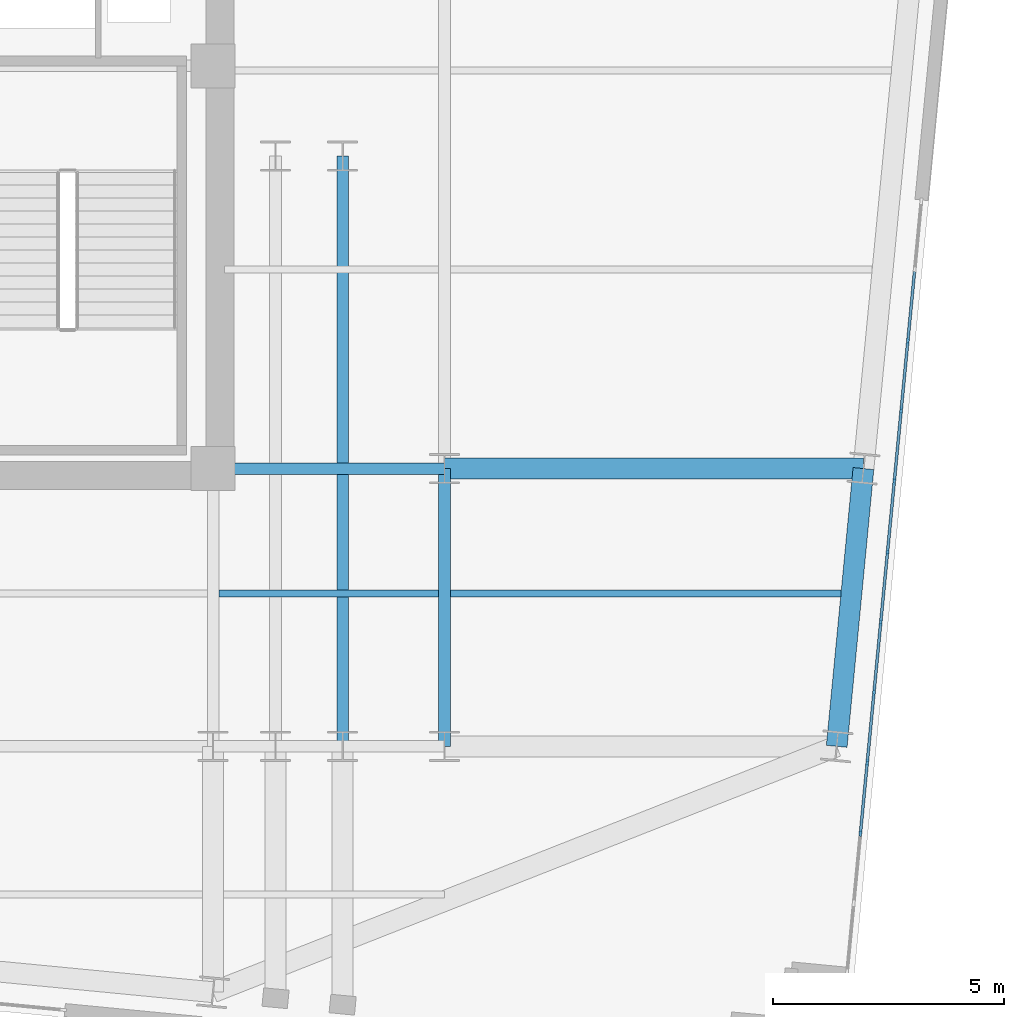
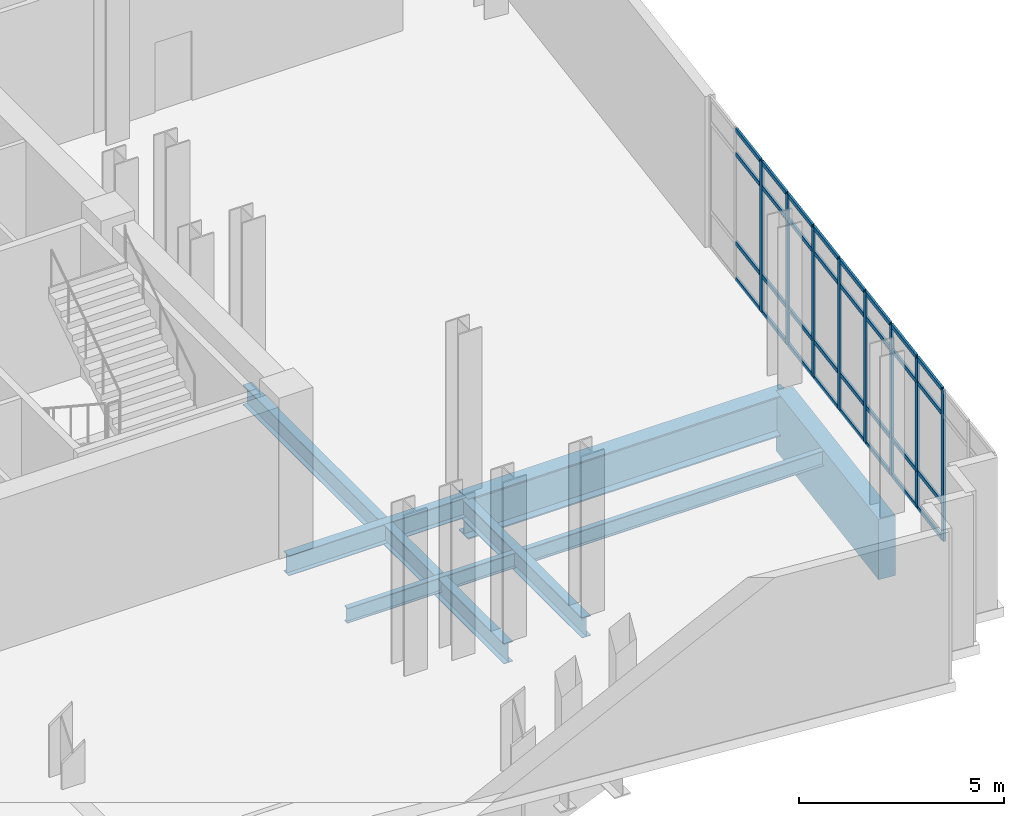
# One storey, part 5 of 16: 40 members, 7 beams, 1 element without a shape of its own.
"""IFC4 building model written with IfcOpenShell, lengths in metres."""

from ifc_helpers import new_model, si_unit, direction, frame, origin, origin_2d, place, context, subcontext, project, spatial, rectangle, i_section, extrude, material, layer, layer_set, material_profile, profile_set, type_object, element, aggregate, save


model = new_model("IFC4")

# Units and contexts
model_context = context("Model", 3, precision=1e-05, world=origin(), true_north=direction((0.0, 1.0)))
body_context = subcontext(model_context, "Body", "Model", "MODEL_VIEW")
ifc_project = project(units=[si_unit("LENGTHUNIT", "METRE"), si_unit("AREAUNIT", "SQUARE_METRE"), si_unit("VOLUMEUNIT", "CUBIC_METRE"), si_unit("PLANEANGLEUNIT", "RADIAN"), si_unit("MASSUNIT", "GRAM", prefix="KILO")], contexts=[model_context])

# Site, building, storey
site_placement = place(None, origin())
site = spatial("IfcSite", under=ifc_project, at=site_placement, CompositionType="ELEMENT")
building_placement = place(site_placement, origin())
building = spatial("IfcBuilding", under=site, at=building_placement, Name="Velakula Bourse", CompositionType="ELEMENT")
storey_placement = place(building_placement, frame((0.0, 0.0, 199.5)))
storey = spatial("IfcBuildingStorey", under=building, at=storey_placement, Name="L54", CompositionType="ELEMENT", Elevation=199.5)

# Beams
ifc_material_1 = material(Name="Steel IS 2062 Grade 350 (E350)", Category="steel")
ifc_material_profile_1 = material_profile(ifc_material_1, i_section(OverallWidth=0.25, OverallDepth=0.60009765625, WebThickness=0.01123046875, FlangeThickness=0.021240234375, at=origin_2d()), Name="Steel IS 2062 Grade 350 (E350)")
ifc_profile_set_1 = profile_set([ifc_material_profile_1], Name="Steel IS 2062 Grade 350 (E350)")
beam_type_1 = type_object("IfcBeamType", Name="BM-GRD-600M", PredefinedType="BEAM", material=ifc_profile_set_1)
beam_1_placement = place(storey_placement, frame((21.39990234375, -14.60009765625, -0.580078125), z_axis=(0.0, 1.0, 0.0), x_axis=(-1.0, 0.0, 0.0)))
element("IfcBeam", 1, at=beam_1_placement, inside=storey, type_object=beam_type_1, Name="L54 Fulcrum Grid Girder FLC-PSE2", PredefinedType="BEAM", context=body_context, shape_type="SweptSolid", body=[
    extrude(i_section(OverallWidth=0.25, OverallDepth=0.60009765625, WebThickness=0.01123046875, FlangeThickness=0.021240234375, at=origin_2d()), origin(), (0.0, 0.0, 1.0), 12.75),
])
beam_2_placement = place(storey_placement, frame((18.60009765625, -8.60009765625, -0.580078125), z_axis=(1.0, 0.0, 0.0), x_axis=(0.0, 1.0, 0.0)))
element("IfcBeam", 2, at=beam_2_placement, inside=storey, type_object=beam_type_1, Name="L54 Fulcrum Grid Girder MWG-ES2", PredefinedType="BEAM", context=body_context, shape_type="SweptSolid", body=[
    extrude(i_section(OverallWidth=0.25, OverallDepth=0.60009765625, WebThickness=0.01123046875, FlangeThickness=0.021240234375, at=origin_2d()), origin(), (0.0, 0.0, 1.0), 5.0),
])
beam_3_placement = place(storey_placement, frame((23.60009765625, -14.60009765625, -0.580078125), z_axis=(0.0, 1.0, 0.0), x_axis=(-1.0, 0.0, 0.0)))
element("IfcBeam", 3, at=beam_3_placement, inside=storey, type_object=beam_type_1, Name="L54 Fulcrum Grid Girder MWG-ENS1", PredefinedType="BEAM", context=body_context, shape_type="SweptSolid", body=[
    extrude(i_section(OverallWidth=0.25, OverallDepth=0.60009765625, WebThickness=0.01123046875, FlangeThickness=0.021240234375, at=origin_2d()), origin(), (0.0, 0.0, 1.0), 6.0),
])
ifc_material_profile_2 = material_profile(ifc_material_1, i_section(OverallWidth=0.14990234375, OverallDepth=0.449951171875, WebThickness=0.009521484375, FlangeThickness=0.017333984375, at=origin_2d()), Name="Steel IS 2062 Grade 350 (E350)")
ifc_profile_set_2 = profile_set([ifc_material_profile_2], Name="Steel IS 2062 Grade 350 (E350)")
beam_type_2 = type_object("IfcBeamType", Name="JST-TWR-450", PredefinedType="JOIST", material=ifc_profile_set_2)
beam_4_placement = place(storey_placement, frame((18.72509765625, -11.300048828125, -0.5048828125), z_axis=(1.0, 0.0, 0.0), x_axis=(0.0, 1.0, 0.0)))
element("IfcBeam", 4, at=beam_4_placement, inside=storey, type_object=beam_type_2, Name="L54 Trading Floor Composite Joist 07", PredefinedType="JOIST", context=body_context, shape_type="SweptSolid", body=[
    extrude(i_section(OverallWidth=0.14990234375, OverallDepth=0.449951171875, WebThickness=0.009521484375, FlangeThickness=0.017333984375, at=origin_2d()), origin(), (0.0, 0.0, 1.0), 4.75),
])
beam_5_placement = place(storey_placement, frame((23.72509765625, -11.300048828125, -0.5048828125), z_axis=(1.0, 0.0, 0.0), x_axis=(0.0, 1.0, 0.0)))
element("IfcBeam", 5, at=beam_5_placement, inside=storey, type_object=beam_type_2, Name="L54 Trading Floor Composite Joist 08", PredefinedType="JOIST", context=body_context, shape_type="SweptSolid", body=[
    extrude(i_section(OverallWidth=0.14990234375, OverallDepth=0.449951171875, WebThickness=0.009521484375, FlangeThickness=0.017333984375, at=origin_2d()), origin(), (0.0, 0.0, 1.0), 8.437744140625),
])

# Curtain wall, members
ifc_material_2 = material(Name="Anodised bronze architectural aluminium", Category="aluminium")
ifc_layer = layer(ifc_material_2, 0.139892578125, Name="Anodised bronze architectural aluminium", Category="aluminium")
ifc_layer_set = layer_set([ifc_layer], Name="Anodised bronze architectural aluminium")
curtain_wall_type = type_object("IfcCurtainWallType", Name="CW-TS1", PredefinedType="NOTDEFINED", material=ifc_layer_set)
curtain_wall_placement = place(storey_placement, origin())
curtain_wall = element("IfcCurtainWall", 6, at=curtain_wall_placement, inside=storey, type_object=curtain_wall_type, Name="L54 Turbine Plenum Curtain Wall E-W1", PredefinedType="NOTDEFINED")
ifc_material_profile_3 = material_profile(ifc_material_2, rectangle(XDim=0.06005859375, YDim=0.139892578125, at=origin_2d()), Name="Anodised bronze architectural aluminium")
ifc_profile_set_3 = profile_set([ifc_material_profile_3], Name="Anodised bronze architectural aluminium")
member_type_1 = type_object("IfcMemberType", Name="MUL-CW-TS1", PredefinedType="MULLION", material=ifc_profile_set_3)
member_1_placement = place(storey_placement, frame((33.608154296875, -5.837158203125, 0.0), z_axis=(0.0, 0.0, 1.0), x_axis=(0.995395914115, -0.095848704547, 0.0)))
member_1 = element("IfcMember", 7, at=member_1_placement, type_object=member_type_1, Name="CW-TS1 mullion 3", PredefinedType="MULLION", context=body_context, shape_type="SweptSolid", body=[
    extrude(rectangle(XDim=0.06005859375, YDim=0.139892578125, at=origin_2d()), origin(), (0.0, 0.0, 1.0), 4.5),
])
member_2_placement = place(storey_placement, frame((33.4619140625, -7.3564453125, 0.0), z_axis=(0.0, 0.0, 1.0), x_axis=(0.995395914115, -0.095848704547, 0.0)))
member_2 = element("IfcMember", 8, at=member_2_placement, type_object=member_type_1, Name="CW-TS1 mullion 4", PredefinedType="MULLION", context=body_context, shape_type="SweptSolid", body=[
    extrude(rectangle(XDim=0.06005859375, YDim=0.139892578125, at=origin_2d()), origin(), (0.0, 0.0, 1.0), 4.5),
])
member_3_placement = place(storey_placement, frame((33.315673828125, -8.875732421875, 0.0), z_axis=(0.0, 0.0, 1.0), x_axis=(0.995395914115, -0.095848704547, 0.0)))
member_3 = element("IfcMember", 9, at=member_3_placement, type_object=member_type_1, Name="CW-TS1 mullion 5", PredefinedType="MULLION", context=body_context, shape_type="SweptSolid", body=[
    extrude(rectangle(XDim=0.06005859375, YDim=0.139892578125, at=origin_2d()), origin(), (0.0, 0.0, 1.0), 4.5),
])
member_4_placement = place(storey_placement, frame((33.169189453125, -10.39501953125, 0.0), z_axis=(0.0, 0.0, 1.0), x_axis=(0.995395914115, -0.095848704547, 0.0)))
member_4 = element("IfcMember", 10, at=member_4_placement, type_object=member_type_1, Name="CW-TS1 mullion 6", PredefinedType="MULLION", context=body_context, shape_type="SweptSolid", body=[
    extrude(rectangle(XDim=0.06005859375, YDim=0.139892578125, at=origin_2d()), origin(), (0.0, 0.0, 1.0), 4.5),
])
member_5_placement = place(storey_placement, frame((33.02294921875, -11.914306640625, 0.0), z_axis=(0.0, 0.0, 1.0), x_axis=(0.995395914115, -0.095848704547, 0.0)))
member_5 = element("IfcMember", 11, at=member_5_placement, type_object=member_type_1, Name="CW-TS1 mullion 7", PredefinedType="MULLION", context=body_context, shape_type="SweptSolid", body=[
    extrude(rectangle(XDim=0.06005859375, YDim=0.139892578125, at=origin_2d()), origin(), (0.0, 0.0, 1.0), 4.5),
])
member_6_placement = place(storey_placement, frame((32.876708984375, -13.433837890625, 0.0), z_axis=(0.0, 0.0, 1.0), x_axis=(0.995395914115, -0.095848704547, 0.0)))
member_6 = element("IfcMember", 12, at=member_6_placement, type_object=member_type_1, Name="CW-TS1 mullion 8", PredefinedType="MULLION", context=body_context, shape_type="SweptSolid", body=[
    extrude(rectangle(XDim=0.06005859375, YDim=0.139892578125, at=origin_2d()), origin(), (0.0, 0.0, 1.0), 4.5),
])
member_7_placement = place(storey_placement, frame((32.73046875, -14.953125, 0.0), z_axis=(0.0, 0.0, 1.0), x_axis=(0.995395914115, -0.095848704547, 0.0)))
member_7 = element("IfcMember", 13, at=member_7_placement, type_object=member_type_1, Name="CW-TS1 mullion 9", PredefinedType="MULLION", context=body_context, shape_type="SweptSolid", body=[
    extrude(rectangle(XDim=0.06005859375, YDim=0.139892578125, at=origin_2d()), origin(), (0.0, 0.0, 1.0), 4.5),
])
member_8_placement = place(storey_placement, frame((32.583984375, -16.472412109375, 0.0), z_axis=(0.0, 0.0, 1.0), x_axis=(0.995395914115, -0.095848704547, 0.0)))
member_8 = element("IfcMember", 14, at=member_8_placement, type_object=member_type_1, Name="CW-TS1 mullion 10", PredefinedType="MULLION", context=body_context, shape_type="SweptSolid", body=[
    extrude(rectangle(XDim=0.06005859375, YDim=0.139892578125, at=origin_2d()), origin(), (0.0, 0.0, 1.0), 4.5),
])

# Beams
ifc_material_3 = material(Name="Concrete M50 (fck 50 MPa)", Category="concrete")
ifc_material_profile_4 = material_profile(ifc_material_3, rectangle(XDim=0.449951171875, YDim=1.800048828125, at=origin_2d()), Name="Concrete M50 (fck 50 MPa)")
ifc_profile_set_4 = profile_set([ifc_material_profile_4], Name="Concrete M50 (fck 50 MPa)")
beam_type_3 = type_object("IfcBeamType", Name="SPN-TRF-1800", PredefinedType="SPANDREL", material=ifc_profile_set_4)
beam_6_placement = place(storey_placement, frame((32.0712890625, -14.60009765625, -1.179931640625), z_axis=(0.095829714309, 0.995397742541, 0.0), x_axis=(-0.995397742541, 0.095829714309, 0.0)))
element("IfcBeam", 15, at=beam_6_placement, inside=storey, type_object=beam_type_3, Name="L54 Brick-Faced Precast Spandrel E1-E2", PredefinedType="SPANDREL", context=body_context, shape_type="SweptSolid", body=[
    extrude(rectangle(XDim=0.449951171875, YDim=1.800048828125, at=origin_2d()), origin(), (0.0, 0.0, 1.0), 6.02783203125),
])
ifc_material_4 = material(Name="Steel IS 2062 Grade 450 (E450)", Category="steel")
ifc_material_profile_5 = material_profile(ifc_material_4, i_section(OverallWidth=0.449951171875, OverallDepth=1.199951171875, WebThickness=0.02587890625, FlangeThickness=0.0400390625, at=origin_2d()), Name="Steel IS 2062 Grade 450 (E450)")
ifc_profile_set_5 = profile_set([ifc_material_profile_5], Name="Steel IS 2062 Grade 450 (E450)")
beam_type_4 = type_object("IfcBeamType", Name="TB-CANT-1200", PredefinedType="BEAM", material=ifc_profile_set_5)
beam_7_placement = place(storey_placement, frame((23.60009765625, -8.60009765625, -0.8798828125), z_axis=(1.0, 0.0, 0.0), x_axis=(0.0, 1.0, 0.0)))
element("IfcBeam", 16, at=beam_7_placement, inside=storey, type_object=beam_type_4, Name="L54 Perimeter Tie Girder E2", PredefinedType="BEAM", context=body_context, shape_type="SweptSolid", body=[
    extrude(i_section(OverallWidth=0.449951171875, OverallDepth=1.199951171875, WebThickness=0.02587890625, FlangeThickness=0.0400390625, at=origin_2d()), origin(), (0.0, 0.0, 1.0), 9.048828125),
])

# Member
ifc_material_profile_6 = material_profile(ifc_material_2, rectangle(XDim=0.06005859375, YDim=0.1201171875, at=origin_2d()), Name="Anodised bronze architectural aluminium")
ifc_profile_set_6 = profile_set([ifc_material_profile_6], Name="Anodised bronze architectural aluminium")
member_type_2 = type_object("IfcMemberType", Name="TRN-CW-TS1", PredefinedType="USERDEFINED", material=ifc_profile_set_6)
member_9_placement = place(storey_placement, frame((33.751708984375, -4.34765625, 0.030029296875), z_axis=(-0.095909115891, -0.995390095133, 0.0), x_axis=(0.995390095133, -0.095909115891, 0.0)))
member_9 = element("IfcMember", 17, at=member_9_placement, type_object=member_type_2, Name="CW-TS1 transom 2.1", ObjectType="TRANSOM", PredefinedType="USERDEFINED", context=body_context, shape_type="SweptSolid", body=[
    extrude(rectangle(XDim=0.06005859375, YDim=0.1201171875, at=origin_2d()), origin(), (0.0, 0.0, 1.0), 1.46630859375),
])

member_10_placement = place(storey_placement, frame((33.751708984375, -4.34765625, 1.10009765625), z_axis=(-0.095909115891, -0.995390095133, 0.0), x_axis=(0.995390095133, -0.095909115891, 0.0)))
member_10 = element("IfcMember", 18, at=member_10_placement, type_object=member_type_2, Name="CW-TS1 transom 2.2", ObjectType="TRANSOM", PredefinedType="USERDEFINED", context=body_context, shape_type="SweptSolid", body=[
    extrude(rectangle(XDim=0.06005859375, YDim=0.1201171875, at=origin_2d()), origin(), (0.0, 0.0, 1.0), 1.46630859375),
])

member_11_placement = place(storey_placement, frame((33.751708984375, -4.34765625, 3.75), z_axis=(-0.095909115891, -0.995390095133, 0.0), x_axis=(0.995390095133, -0.095909115891, 0.0)))
member_11 = element("IfcMember", 19, at=member_11_placement, type_object=member_type_2, Name="CW-TS1 transom 2.3", ObjectType="TRANSOM", PredefinedType="USERDEFINED", context=body_context, shape_type="SweptSolid", body=[
    extrude(rectangle(XDim=0.06005859375, YDim=0.1201171875, at=origin_2d()), origin(), (0.0, 0.0, 1.0), 1.46630859375),
])

member_12_placement = place(storey_placement, frame((33.751708984375, -4.34765625, 4.469970703125), z_axis=(-0.095909115891, -0.995390095133, 0.0), x_axis=(0.995390095133, -0.095909115891, 0.0)))
member_12 = element("IfcMember", 20, at=member_12_placement, type_object=member_type_2, Name="CW-TS1 transom 2.4", ObjectType="TRANSOM", PredefinedType="USERDEFINED", context=body_context, shape_type="SweptSolid", body=[
    extrude(rectangle(XDim=0.06005859375, YDim=0.1201171875, at=origin_2d()), origin(), (0.0, 0.0, 1.0), 1.46630859375),
])

member_13_placement = place(storey_placement, frame((33.605224609375, -5.866943359375, 0.030029296875), z_axis=(-0.095728268056, -0.995407503837, 0.0), x_axis=(0.995407503837, -0.095728268056, 0.0)))
member_13 = element("IfcMember", 21, at=member_13_placement, type_object=member_type_2, Name="CW-TS1 transom 3.1", ObjectType="TRANSOM", PredefinedType="USERDEFINED", context=body_context, shape_type="SweptSolid", body=[
    extrude(rectangle(XDim=0.06005859375, YDim=0.1201171875, at=origin_2d()), origin(), (0.0, 0.0, 1.0), 1.466552734375),
])

member_14_placement = place(storey_placement, frame((33.605224609375, -5.866943359375, 1.10009765625), z_axis=(-0.095728268056, -0.995407503837, 0.0), x_axis=(0.995407503837, -0.095728268056, 0.0)))
member_14 = element("IfcMember", 22, at=member_14_placement, type_object=member_type_2, Name="CW-TS1 transom 3.2", ObjectType="TRANSOM", PredefinedType="USERDEFINED", context=body_context, shape_type="SweptSolid", body=[
    extrude(rectangle(XDim=0.06005859375, YDim=0.1201171875, at=origin_2d()), origin(), (0.0, 0.0, 1.0), 1.466552734375),
])

member_15_placement = place(storey_placement, frame((33.605224609375, -5.866943359375, 3.75), z_axis=(-0.095728268056, -0.995407503837, 0.0), x_axis=(0.995407503837, -0.095728268056, 0.0)))
member_15 = element("IfcMember", 23, at=member_15_placement, type_object=member_type_2, Name="CW-TS1 transom 3.3", ObjectType="TRANSOM", PredefinedType="USERDEFINED", context=body_context, shape_type="SweptSolid", body=[
    extrude(rectangle(XDim=0.06005859375, YDim=0.1201171875, at=origin_2d()), origin(), (0.0, 0.0, 1.0), 1.466552734375),
])

member_16_placement = place(storey_placement, frame((33.605224609375, -5.866943359375, 4.469970703125), z_axis=(-0.095728268056, -0.995407503837, 0.0), x_axis=(0.995407503837, -0.095728268056, 0.0)))
member_16 = element("IfcMember", 24, at=member_16_placement, type_object=member_type_2, Name="CW-TS1 transom 3.4", ObjectType="TRANSOM", PredefinedType="USERDEFINED", context=body_context, shape_type="SweptSolid", body=[
    extrude(rectangle(XDim=0.06005859375, YDim=0.1201171875, at=origin_2d()), origin(), (0.0, 0.0, 1.0), 1.466552734375),
])

member_17_placement = place(storey_placement, frame((33.458984375, -7.38623046875, 0.030029296875), z_axis=(-0.095893222412, -0.995391626394, 0.0), x_axis=(0.995391626394, -0.095893222412, 0.0)))
member_17 = element("IfcMember", 25, at=member_17_placement, type_object=member_type_2, Name="CW-TS1 transom 4.1", ObjectType="TRANSOM", PredefinedType="USERDEFINED", context=body_context, shape_type="SweptSolid", body=[
    extrude(rectangle(XDim=0.06005859375, YDim=0.1201171875, at=origin_2d()), origin(), (0.0, 0.0, 1.0), 1.466552734375),
])

member_18_placement = place(storey_placement, frame((33.458984375, -7.38623046875, 1.10009765625), z_axis=(-0.095893222412, -0.995391626394, 0.0), x_axis=(0.995391626394, -0.095893222412, 0.0)))
member_18 = element("IfcMember", 26, at=member_18_placement, type_object=member_type_2, Name="CW-TS1 transom 4.2", ObjectType="TRANSOM", PredefinedType="USERDEFINED", context=body_context, shape_type="SweptSolid", body=[
    extrude(rectangle(XDim=0.06005859375, YDim=0.1201171875, at=origin_2d()), origin(), (0.0, 0.0, 1.0), 1.466552734375),
])

member_19_placement = place(storey_placement, frame((33.458984375, -7.38623046875, 3.75), z_axis=(-0.095893222412, -0.995391626394, 0.0), x_axis=(0.995391626394, -0.095893222412, 0.0)))
member_19 = element("IfcMember", 27, at=member_19_placement, type_object=member_type_2, Name="CW-TS1 transom 4.3", ObjectType="TRANSOM", PredefinedType="USERDEFINED", context=body_context, shape_type="SweptSolid", body=[
    extrude(rectangle(XDim=0.06005859375, YDim=0.1201171875, at=origin_2d()), origin(), (0.0, 0.0, 1.0), 1.466552734375),
])

member_20_placement = place(storey_placement, frame((33.458984375, -7.38623046875, 4.469970703125), z_axis=(-0.095893222412, -0.995391626394, 0.0), x_axis=(0.995391626394, -0.095893222412, 0.0)))
member_20 = element("IfcMember", 28, at=member_20_placement, type_object=member_type_2, Name="CW-TS1 transom 4.4", ObjectType="TRANSOM", PredefinedType="USERDEFINED", context=body_context, shape_type="SweptSolid", body=[
    extrude(rectangle(XDim=0.06005859375, YDim=0.1201171875, at=origin_2d()), origin(), (0.0, 0.0, 1.0), 1.466552734375),
])

member_21_placement = place(storey_placement, frame((33.312744140625, -8.905517578125, 0.030029296875), z_axis=(-0.095893222412, -0.995391626394, 0.0), x_axis=(0.995391626394, -0.095893222412, 0.0)))
member_21 = element("IfcMember", 29, at=member_21_placement, type_object=member_type_2, Name="CW-TS1 transom 5.1", ObjectType="TRANSOM", PredefinedType="USERDEFINED", context=body_context, shape_type="SweptSolid", body=[
    extrude(rectangle(XDim=0.06005859375, YDim=0.1201171875, at=origin_2d()), origin(), (0.0, 0.0, 1.0), 1.466552734375),
])

member_22_placement = place(storey_placement, frame((33.312744140625, -8.905517578125, 1.10009765625), z_axis=(-0.095893222412, -0.995391626394, 0.0), x_axis=(0.995391626394, -0.095893222412, 0.0)))
member_22 = element("IfcMember", 30, at=member_22_placement, type_object=member_type_2, Name="CW-TS1 transom 5.2", ObjectType="TRANSOM", PredefinedType="USERDEFINED", context=body_context, shape_type="SweptSolid", body=[
    extrude(rectangle(XDim=0.06005859375, YDim=0.1201171875, at=origin_2d()), origin(), (0.0, 0.0, 1.0), 1.466552734375),
])

member_23_placement = place(storey_placement, frame((33.312744140625, -8.905517578125, 3.75), z_axis=(-0.095893222412, -0.995391626394, 0.0), x_axis=(0.995391626394, -0.095893222412, 0.0)))
member_23 = element("IfcMember", 31, at=member_23_placement, type_object=member_type_2, Name="CW-TS1 transom 5.3", ObjectType="TRANSOM", PredefinedType="USERDEFINED", context=body_context, shape_type="SweptSolid", body=[
    extrude(rectangle(XDim=0.06005859375, YDim=0.1201171875, at=origin_2d()), origin(), (0.0, 0.0, 1.0), 1.466552734375),
])

member_24_placement = place(storey_placement, frame((33.312744140625, -8.905517578125, 4.469970703125), z_axis=(-0.095893222412, -0.995391626394, 0.0), x_axis=(0.995391626394, -0.095893222412, 0.0)))
member_24 = element("IfcMember", 32, at=member_24_placement, type_object=member_type_2, Name="CW-TS1 transom 5.4", ObjectType="TRANSOM", PredefinedType="USERDEFINED", context=body_context, shape_type="SweptSolid", body=[
    extrude(rectangle(XDim=0.06005859375, YDim=0.1201171875, at=origin_2d()), origin(), (0.0, 0.0, 1.0), 1.466552734375),
])

member_25_placement = place(storey_placement, frame((33.16650390625, -10.425048828125, 0.030029296875), z_axis=(-0.095909115891, -0.995390095133, 0.0), x_axis=(0.995390095133, -0.095909115891, 0.0)))
member_25 = element("IfcMember", 33, at=member_25_placement, type_object=member_type_2, Name="CW-TS1 transom 6.1", ObjectType="TRANSOM", PredefinedType="USERDEFINED", context=body_context, shape_type="SweptSolid", body=[
    extrude(rectangle(XDim=0.06005859375, YDim=0.1201171875, at=origin_2d()), origin(), (0.0, 0.0, 1.0), 1.46630859375),
])

member_26_placement = place(storey_placement, frame((33.16650390625, -10.425048828125, 1.10009765625), z_axis=(-0.095909115891, -0.995390095133, 0.0), x_axis=(0.995390095133, -0.095909115891, 0.0)))
member_26 = element("IfcMember", 34, at=member_26_placement, type_object=member_type_2, Name="CW-TS1 transom 6.2", ObjectType="TRANSOM", PredefinedType="USERDEFINED", context=body_context, shape_type="SweptSolid", body=[
    extrude(rectangle(XDim=0.06005859375, YDim=0.1201171875, at=origin_2d()), origin(), (0.0, 0.0, 1.0), 1.46630859375),
])

member_27_placement = place(storey_placement, frame((33.16650390625, -10.425048828125, 3.75), z_axis=(-0.095909115891, -0.995390095133, 0.0), x_axis=(0.995390095133, -0.095909115891, 0.0)))
member_27 = element("IfcMember", 35, at=member_27_placement, type_object=member_type_2, Name="CW-TS1 transom 6.3", ObjectType="TRANSOM", PredefinedType="USERDEFINED", context=body_context, shape_type="SweptSolid", body=[
    extrude(rectangle(XDim=0.06005859375, YDim=0.1201171875, at=origin_2d()), origin(), (0.0, 0.0, 1.0), 1.46630859375),
])

member_28_placement = place(storey_placement, frame((33.16650390625, -10.425048828125, 4.469970703125), z_axis=(-0.095909115891, -0.995390095133, 0.0), x_axis=(0.995390095133, -0.095909115891, 0.0)))
member_28 = element("IfcMember", 36, at=member_28_placement, type_object=member_type_2, Name="CW-TS1 transom 6.4", ObjectType="TRANSOM", PredefinedType="USERDEFINED", context=body_context, shape_type="SweptSolid", body=[
    extrude(rectangle(XDim=0.06005859375, YDim=0.1201171875, at=origin_2d()), origin(), (0.0, 0.0, 1.0), 1.46630859375),
])

member_29_placement = place(storey_placement, frame((33.02001953125, -11.9443359375, 0.030029296875), z_axis=(-0.095744134701, -0.995405977815, 0.0), x_axis=(0.995405977815, -0.095744134701, 0.0)))
member_29 = element("IfcMember", 37, at=member_29_placement, type_object=member_type_2, Name="CW-TS1 transom 7.1", ObjectType="TRANSOM", PredefinedType="USERDEFINED", context=body_context, shape_type="SweptSolid", body=[
    extrude(rectangle(XDim=0.06005859375, YDim=0.1201171875, at=origin_2d()), origin(), (0.0, 0.0, 1.0), 1.46630859375),
])

member_30_placement = place(storey_placement, frame((33.02001953125, -11.9443359375, 1.10009765625), z_axis=(-0.095744134701, -0.995405977815, 0.0), x_axis=(0.995405977815, -0.095744134701, 0.0)))
member_30 = element("IfcMember", 38, at=member_30_placement, type_object=member_type_2, Name="CW-TS1 transom 7.2", ObjectType="TRANSOM", PredefinedType="USERDEFINED", context=body_context, shape_type="SweptSolid", body=[
    extrude(rectangle(XDim=0.06005859375, YDim=0.1201171875, at=origin_2d()), origin(), (0.0, 0.0, 1.0), 1.46630859375),
])

member_31_placement = place(storey_placement, frame((33.02001953125, -11.9443359375, 3.75), z_axis=(-0.095744134701, -0.995405977815, 0.0), x_axis=(0.995405977815, -0.095744134701, 0.0)))
member_31 = element("IfcMember", 39, at=member_31_placement, type_object=member_type_2, Name="CW-TS1 transom 7.3", ObjectType="TRANSOM", PredefinedType="USERDEFINED", context=body_context, shape_type="SweptSolid", body=[
    extrude(rectangle(XDim=0.06005859375, YDim=0.1201171875, at=origin_2d()), origin(), (0.0, 0.0, 1.0), 1.46630859375),
])

member_32_placement = place(storey_placement, frame((33.02001953125, -11.9443359375, 4.469970703125), z_axis=(-0.095744134701, -0.995405977815, 0.0), x_axis=(0.995405977815, -0.095744134701, 0.0)))
member_32 = element("IfcMember", 40, at=member_32_placement, type_object=member_type_2, Name="CW-TS1 transom 7.4", ObjectType="TRANSOM", PredefinedType="USERDEFINED", context=body_context, shape_type="SweptSolid", body=[
    extrude(rectangle(XDim=0.06005859375, YDim=0.1201171875, at=origin_2d()), origin(), (0.0, 0.0, 1.0), 1.46630859375),
])

member_33_placement = place(storey_placement, frame((32.873779296875, -13.463623046875, 0.030029296875), z_axis=(-0.095893222412, -0.995391626394, 0.0), x_axis=(0.995391626394, -0.095893222412, 0.0)))
member_33 = element("IfcMember", 41, at=member_33_placement, type_object=member_type_2, Name="CW-TS1 transom 8.1", ObjectType="TRANSOM", PredefinedType="USERDEFINED", context=body_context, shape_type="SweptSolid", body=[
    extrude(rectangle(XDim=0.06005859375, YDim=0.1201171875, at=origin_2d()), origin(), (0.0, 0.0, 1.0), 1.466552734375),
])

member_34_placement = place(storey_placement, frame((32.873779296875, -13.463623046875, 1.10009765625), z_axis=(-0.095893222412, -0.995391626394, 0.0), x_axis=(0.995391626394, -0.095893222412, 0.0)))
member_34 = element("IfcMember", 42, at=member_34_placement, type_object=member_type_2, Name="CW-TS1 transom 8.2", ObjectType="TRANSOM", PredefinedType="USERDEFINED", context=body_context, shape_type="SweptSolid", body=[
    extrude(rectangle(XDim=0.06005859375, YDim=0.1201171875, at=origin_2d()), origin(), (0.0, 0.0, 1.0), 1.466552734375),
])

member_35_placement = place(storey_placement, frame((32.873779296875, -13.463623046875, 3.75), z_axis=(-0.095893222412, -0.995391626394, 0.0), x_axis=(0.995391626394, -0.095893222412, 0.0)))
member_35 = element("IfcMember", 43, at=member_35_placement, type_object=member_type_2, Name="CW-TS1 transom 8.3", ObjectType="TRANSOM", PredefinedType="USERDEFINED", context=body_context, shape_type="SweptSolid", body=[
    extrude(rectangle(XDim=0.06005859375, YDim=0.1201171875, at=origin_2d()), origin(), (0.0, 0.0, 1.0), 1.466552734375),
])

member_36_placement = place(storey_placement, frame((32.873779296875, -13.463623046875, 4.469970703125), z_axis=(-0.095893222412, -0.995391626394, 0.0), x_axis=(0.995391626394, -0.095893222412, 0.0)))
member_36 = element("IfcMember", 44, at=member_36_placement, type_object=member_type_2, Name="CW-TS1 transom 8.4", ObjectType="TRANSOM", PredefinedType="USERDEFINED", context=body_context, shape_type="SweptSolid", body=[
    extrude(rectangle(XDim=0.06005859375, YDim=0.1201171875, at=origin_2d()), origin(), (0.0, 0.0, 1.0), 1.466552734375),
])

member_37_placement = place(storey_placement, frame((32.7275390625, -14.98291015625, 0.030029296875), z_axis=(-0.095893222412, -0.995391626394, 0.0), x_axis=(0.995391626394, -0.095893222412, 0.0)))
member_37 = element("IfcMember", 45, at=member_37_placement, type_object=member_type_2, Name="CW-TS1 transom 9.1", ObjectType="TRANSOM", PredefinedType="USERDEFINED", context=body_context, shape_type="SweptSolid", body=[
    extrude(rectangle(XDim=0.06005859375, YDim=0.1201171875, at=origin_2d()), origin(), (0.0, 0.0, 1.0), 1.466552734375),
])

member_38_placement = place(storey_placement, frame((32.7275390625, -14.98291015625, 1.10009765625), z_axis=(-0.095893222412, -0.995391626394, 0.0), x_axis=(0.995391626394, -0.095893222412, 0.0)))
member_38 = element("IfcMember", 46, at=member_38_placement, type_object=member_type_2, Name="CW-TS1 transom 9.2", ObjectType="TRANSOM", PredefinedType="USERDEFINED", context=body_context, shape_type="SweptSolid", body=[
    extrude(rectangle(XDim=0.06005859375, YDim=0.1201171875, at=origin_2d()), origin(), (0.0, 0.0, 1.0), 1.466552734375),
])

member_39_placement = place(storey_placement, frame((32.7275390625, -14.98291015625, 3.75), z_axis=(-0.095893222412, -0.995391626394, 0.0), x_axis=(0.995391626394, -0.095893222412, 0.0)))
member_39 = element("IfcMember", 47, at=member_39_placement, type_object=member_type_2, Name="CW-TS1 transom 9.3", ObjectType="TRANSOM", PredefinedType="USERDEFINED", context=body_context, shape_type="SweptSolid", body=[
    extrude(rectangle(XDim=0.06005859375, YDim=0.1201171875, at=origin_2d()), origin(), (0.0, 0.0, 1.0), 1.466552734375),
])

member_40_placement = place(storey_placement, frame((32.7275390625, -14.98291015625, 4.469970703125), z_axis=(-0.095893222412, -0.995391626394, 0.0), x_axis=(0.995391626394, -0.095893222412, 0.0)))
member_40 = element("IfcMember", 48, at=member_40_placement, type_object=member_type_2, Name="CW-TS1 transom 9.4", ObjectType="TRANSOM", PredefinedType="USERDEFINED", context=body_context, shape_type="SweptSolid", body=[
    extrude(rectangle(XDim=0.06005859375, YDim=0.1201171875, at=origin_2d()), origin(), (0.0, 0.0, 1.0), 1.466552734375),
])

aggregate(curtain_wall, [member_1, member_2, member_3, member_4, member_5, member_6, member_7, member_8, member_9, member_10, member_11, member_12, member_13, member_14, member_15, member_16, member_17, member_18, member_19, member_20, member_21, member_22, member_23, member_24, member_25, member_26, member_27, member_28, member_29, member_30, member_31, member_32, member_33, member_34, member_35, member_36, member_37, member_38, member_39, member_40])

save(model, "model.ifc")
